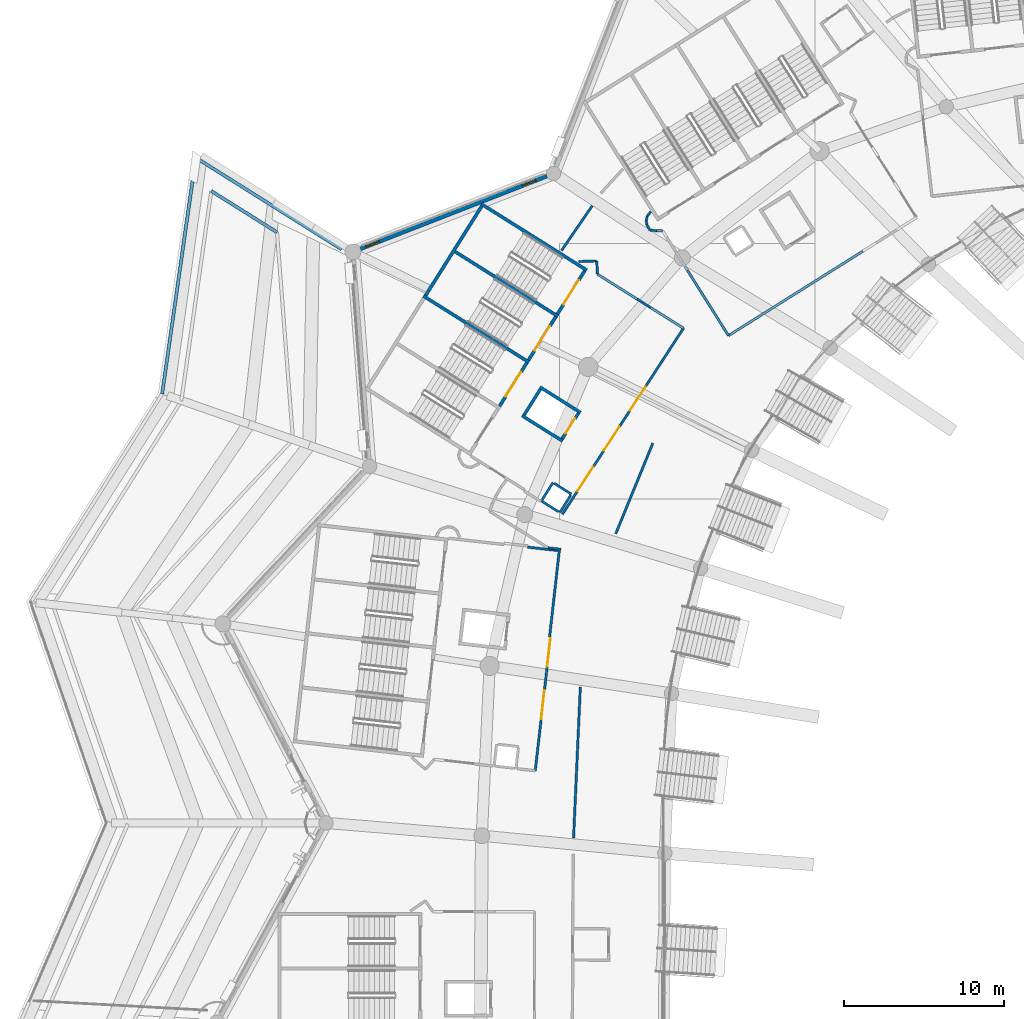
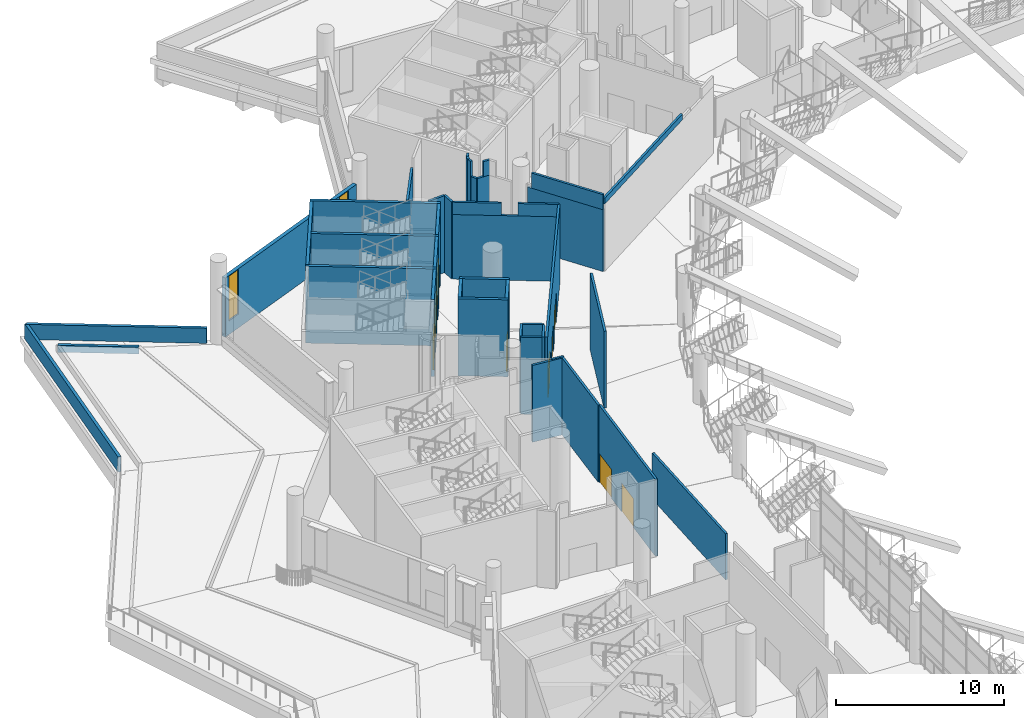
# One storey, part 64 of 173: 41 walls, 9 doors, 2 windows, 11 openings.
"""IFC4 building model written with IfcOpenShell, lengths in metres."""

from ifc_helpers import new_model, si_unit, direction, frame, frame_2d, origin, place, context, subcontext, project, spatial, rectangle, extrude, material, layer, layer_set, type_object, element, fill, save


model = new_model("IFC4")

# Units and contexts
model_context = context("Model", 3, precision=1e-05, world=origin(), true_north=direction((0.0, 1.0)))
body_context = subcontext(model_context, "Body", "Model", "MODEL_VIEW")
ifc_project = project(units=[si_unit("LENGTHUNIT", "METRE"), si_unit("AREAUNIT", "SQUARE_METRE"), si_unit("VOLUMEUNIT", "CUBIC_METRE"), si_unit("PLANEANGLEUNIT", "RADIAN"), si_unit("MASSUNIT", "GRAM", prefix="KILO")], contexts=[model_context])

# Site, building, storey
site_placement = place(None, origin())
site = spatial("IfcSite", under=ifc_project, at=site_placement, CompositionType="ELEMENT")
building_placement = place(site_placement, origin())
building = spatial("IfcBuilding", under=site, at=building_placement, Name="Meseta Stadium", CompositionType="ELEMENT")
storey_placement = place(building_placement, frame((0.0, 0.0, 18.0)))
storey = spatial("IfcBuildingStorey", under=building, at=storey_placement, Name="L03", CompositionType="ELEMENT", Elevation=18.0)

# Walls
ifc_material_1 = material(Name="Concrete C40/50", Category="concrete")
ifc_layer_1 = layer(ifc_material_1, 0.199951171875)
ifc_layer_set_1 = layer_set([ifc_layer_1], Name="Core divider wall 200")
wall_type_1 = type_object("IfcWallType", Name="Core divider wall 200", PredefinedType="SHEAR", material=ifc_layer_set_1)
wall_1_placement = place(storey_placement, frame((-86.696533203125, 79.5869140625, 0.0), z_axis=(0.0, 0.0, 1.0), x_axis=(0.846713903605, -0.532048461553, 0.0)))
element("IfcWall", 1, at=wall_1_placement, inside=storey, type_object=wall_type_1, Name="Core 14 L03 stair A divider wall", PredefinedType="SHEAR", context=body_context, shape_type="SweptSolid", body=[
    extrude(rectangle(XDim=7.7998046875, YDim=0.199951171875, at=frame_2d((3.89990234375, 0.0))), origin(), (0.0, 0.0, 1.0), 5.60009765625),
])
ifc_material_2 = material(Name="Concrete C40/50", Category="concrete")
ifc_layer_2 = layer(ifc_material_2, 0.199951171875)
ifc_layer_set_2 = layer_set([ifc_layer_2], Name="Core shaft wall 200")
wall_type_2 = type_object("IfcWallType", Name="Core shaft wall 200", PredefinedType="SHEAR", material=ifc_layer_set_2)
for number, where, z_axis, x_axis, name in (
    (2, (-84.8876953125, 82.4658203125, 0.0), (0.0, 0.0, 1.0), (0.846722763703, -0.532034361135, 0.0), "Core 14 L03 stair wall A-side"),
    (3, (-88.505615234375, 76.7080078125, 0.0), (0.0, 0.0, 1.0), (0.846722763703, -0.532034361135, 0.0), "Core 14 L03 stair wall shared"),
):
    element("IfcWall", number, at=place(storey_placement, frame(where, z_axis=z_axis, x_axis=x_axis)), inside=storey, type_object=wall_type_2, Name=name, PredefinedType="SHEAR", context=body_context, shape_type="SweptSolid", body=[
        extrude(rectangle(XDim=7.800048828125, YDim=0.199951171875, at=frame_2d((3.89990234375, 0.0))), origin(), (0.0, 0.0, 1.0), 5.60009765625),
    ])
wall_2_placement = place(storey_placement, frame((-84.856201171875, 82.327880859375, 0.0), z_axis=(0.0, 0.0, 1.0), x_axis=(-0.532038964807, -0.846719870989, 0.0)))
element("IfcWall", 4, at=wall_2_placement, inside=storey, type_object=wall_type_2, Name="Core 14 L03 stair A outer end wall", PredefinedType="SHEAR", context=body_context, shape_type="SweptSolid", body=[
    extrude(rectangle(XDim=6.60009765625, YDim=0.199951171875, at=frame_2d((3.300048828125, 0.0))), origin(), (0.0, 0.0, 1.0), 5.60009765625),
])

# Wall, opening, door
wall_3_placement = place(storey_placement, frame((-78.421142578125, 78.284423828125, 0.0), z_axis=(0.0, 0.0, 1.0), x_axis=(-0.53206841829, -0.84670136309, 0.0)))
wall_3 = element("IfcWall", 5, at=wall_3_placement, inside=storey, type_object=wall_type_2, Name="Core 14 L03 stair A1 inner end wall", PredefinedType="SHEAR", context=body_context, shape_type="SweptSolid", body=[
    extrude(rectangle(XDim=3.199951171875, YDim=0.199951171875, at=frame_2d((1.60009765625, 0.0))), origin(), (0.0, 0.0, 1.0), 5.60009765625),
])
opening_1_placement = place(wall_3_placement, frame((0.699951171875, 0.0, 0.0)))
opening_1 = element("IfcOpeningElement", 6, at=opening_1_placement, cuts=wall_3, Name="Opening D1325", PredefinedType="OPENING", context=body_context, shape_type="SweptSolid", body=[
    extrude(rectangle(XDim=1.800048828125, YDim=2.10009765625, at=frame_2d((0.89990234375, 1.050048828125))), frame((0.0, 0.10986328125, 0.0), z_axis=(0.0, -1.0, 0.0), x_axis=(1.0, 0.0, 0.0)), (0.0, 0.0, 1.0), 0.219970703125),
])
ifc_material_3 = material(Name="Steel", Category="steel")
door_type_1 = type_object("IfcDoorType", Name="Stair door 1800x2100", OperationType="DOUBLE_DOOR_SINGLE_SWING", PredefinedType="DOOR", material=ifc_material_3)
door_1_placement = place(opening_1_placement, origin())
door_1 = element("IfcDoor", 7, at=door_1_placement, inside=storey, type_object=door_type_1, Name="Stair A1 door 14 L03", OperationType="DOUBLE_DOOR_SINGLE_SWING", OverallHeight=2.10009765625, OverallWidth=1.800048828125, PredefinedType="DOOR", context=body_context, shape_type="SweptSolid", body=[
    extrude(rectangle(XDim=1.800048828125, YDim=2.10009765625, at=frame_2d((0.89990234375, 1.050048828125))), frame((0.0, 0.02490234375, 0.0), z_axis=(0.0, -1.0, 0.0), x_axis=(1.0, 0.0, 0.0)), (0.0, 0.0, 1.0), 0.050048828125),
])
fill(opening_1, door_1)

wall_4_placement = place(storey_placement, frame((-80.22998046875, 75.405517578125, 0.0), z_axis=(0.0, 0.0, 1.0), x_axis=(-0.53206841829, -0.84670136309, 0.0)))
wall_4 = element("IfcWall", 8, at=wall_4_placement, inside=storey, type_object=wall_type_2, Name="Core 14 L03 stair A2 inner end wall", PredefinedType="SHEAR", context=body_context, shape_type="SweptSolid", body=[
    extrude(rectangle(XDim=3.199951171875, YDim=0.199951171875, at=frame_2d((1.60009765625, 0.0))), origin(), (0.0, 0.0, 1.0), 5.60009765625),
])
opening_2_placement = place(wall_4_placement, frame((0.699951171875, 0.0, 0.0)))
opening_2 = element("IfcOpeningElement", 9, at=opening_2_placement, cuts=wall_4, Name="Opening D1321", PredefinedType="OPENING", context=body_context, shape_type="SweptSolid", body=[
    extrude(rectangle(XDim=1.800048828125, YDim=2.10009765625, at=frame_2d((0.89990234375, 1.050048828125))), frame((0.0, 0.10986328125, 0.0), z_axis=(0.0, -1.0, 0.0), x_axis=(1.0, 0.0, 0.0)), (0.0, 0.0, 1.0), 0.219970703125),
])
door_2_placement = place(opening_2_placement, origin())
door_2 = element("IfcDoor", 10, at=door_2_placement, inside=storey, type_object=door_type_1, Name="Stair A2 door 14 L03", OperationType="DOUBLE_DOOR_SINGLE_SWING", OverallHeight=2.10009765625, OverallWidth=1.800048828125, PredefinedType="DOOR", context=body_context, shape_type="SweptSolid", body=[
    extrude(rectangle(XDim=1.800048828125, YDim=2.10009765625, at=frame_2d((0.89990234375, 1.050048828125))), frame((0.0, 0.02490234375, 0.0), z_axis=(0.0, -1.0, 0.0), x_axis=(1.0, 0.0, 0.0)), (0.0, 0.0, 1.0), 0.050048828125),
])
fill(opening_2, door_2)

wall_5_placement = place(storey_placement, frame((-82.0390625, 72.526611328125, 0.0), z_axis=(0.0, 0.0, 1.0), x_axis=(-0.532013720158, -0.846735733015, 0.0)))
wall_5 = element("IfcWall", 11, at=wall_5_placement, inside=storey, type_object=wall_type_2, Name="Core 14 L03 stair B1 inner end wall", PredefinedType="SHEAR", context=body_context, shape_type="SweptSolid", body=[
    extrude(rectangle(XDim=3.199951171875, YDim=0.199951171875, at=frame_2d((1.60009765625, 0.0))), origin(), (0.0, 0.0, 1.0), 5.60009765625),
])
opening_3_placement = place(wall_5_placement, frame((0.673095703125, 0.0, 0.0)))
opening_3 = element("IfcOpeningElement", 12, at=opening_3_placement, cuts=wall_5, Name="Opening D1315", PredefinedType="OPENING", context=body_context, shape_type="SweptSolid", body=[
    extrude(rectangle(XDim=1.800048828125, YDim=2.10009765625, at=frame_2d((0.89990234375, 1.050048828125))), frame((0.0, 0.10986328125, 0.0), z_axis=(0.0, -1.0, 0.0), x_axis=(1.0, 0.0, 0.0)), (0.0, 0.0, 1.0), 0.219970703125),
])
door_3_placement = place(opening_3_placement, origin())
door_3 = element("IfcDoor", 13, at=door_3_placement, inside=storey, type_object=door_type_1, Name="Stair B1 door 14 L03", OperationType="DOUBLE_DOOR_SINGLE_SWING", OverallHeight=2.10009765625, OverallWidth=1.800048828125, PredefinedType="DOOR", context=body_context, shape_type="SweptSolid", body=[
    extrude(rectangle(XDim=1.800048828125, YDim=2.10009765625, at=frame_2d((0.89990234375, 1.050048828125))), frame((0.0, 0.02490234375, 0.0), z_axis=(0.0, -1.0, 0.0), x_axis=(1.0, 0.0, 0.0)), (0.0, 0.0, 1.0), 0.050048828125),
])
fill(opening_3, door_3)

# Walls
for number, where, z_axis, x_axis, name in (
    (14, (-81.22119140625, 71.0087890625, 0.0), (0.0, 0.0, 1.0), (0.846757002027, -0.531979867588, 0.0), "Core 14 L03 lift shaft wall left"),
    (15, (-82.33837890625, 69.230712890625, 0.0), (0.0, 0.0, 1.0), (0.846757002027, -0.531979867588, 0.0), "Core 14 L03 lift shaft wall right"),
):
    element("IfcWall", number, at=place(storey_placement, frame(where, z_axis=z_axis, x_axis=x_axis)), inside=storey, type_object=wall_type_2, Name=name, PredefinedType="SHEAR", context=body_context, shape_type="SweptSolid", body=[
        extrude(rectangle(XDim=3.0, YDim=0.199951171875, at=frame_2d((1.5, 0.0))), origin(), (0.0, 0.0, 1.0), 5.60009765625),
    ])
wall_6_placement = place(storey_placement, frame((-81.189697265625, 70.87109375, 0.0), z_axis=(0.0, 0.0, 1.0), x_axis=(-0.531961007765, -0.846768850524, 0.0)))
element("IfcWall", 16, at=wall_6_placement, inside=storey, type_object=wall_type_2, Name="Core 14 L03 lift shaft back wall", PredefinedType="SHEAR", context=body_context, shape_type="SweptSolid", body=[
    extrude(rectangle(XDim=1.900146484375, YDim=0.199951171875, at=frame_2d((0.9501953125, 0.0))), origin(), (0.0, 0.0, 1.0), 5.60009765625),
])

# Wall, opening, door
wall_7_placement = place(storey_placement, frame((-78.81884765625, 69.38134765625, 0.0), z_axis=(0.0, 0.0, 1.0), x_axis=(-0.532018892235, -0.846732483318, 0.0)))
wall_7 = element("IfcWall", 17, at=wall_7_placement, inside=storey, type_object=wall_type_2, Name="Core 14 L03 lift shaft front wall", PredefinedType="SHEAR", context=body_context, shape_type="SweptSolid", body=[
    extrude(rectangle(XDim=1.89990234375, YDim=0.199951171875, at=frame_2d((0.949951171875, 0.0))), origin(), (0.0, 0.0, 1.0), 5.60009765625),
])
opening_4_placement = place(wall_7_placement, frame((0.39990234375, 0.0, 0.0)))
opening_4 = element("IfcOpeningElement", 18, at=opening_4_placement, cuts=wall_7, Name="Opening LD77", PredefinedType="OPENING", context=body_context, shape_type="SweptSolid", body=[
    extrude(rectangle(XDim=1.10009765625, YDim=2.10009765625, at=frame_2d((0.550048828125, 1.050048828125))), frame((0.0, 0.10986328125, 0.0), z_axis=(0.0, -1.0, 0.0), x_axis=(1.0, 0.0, 0.0)), (0.0, 0.0, 1.0), 0.219970703125),
])
ifc_material_4 = material(Name="Steel", Category="steel")
door_type_2 = type_object("IfcDoorType", Name="Lift landing door 1100x2100", OperationType="SLIDING_TO_LEFT", PredefinedType="DOOR", material=ifc_material_4)
door_4_placement = place(opening_4_placement, origin())
door_4 = element("IfcDoor", 19, at=door_4_placement, inside=storey, type_object=door_type_2, Name="Lift landing door LD77", OperationType="SLIDING_TO_LEFT", OverallHeight=2.10009765625, OverallWidth=1.10009765625, PredefinedType="DOOR", context=body_context, shape_type="SweptSolid", body=[
    extrude(rectangle(XDim=1.10009765625, YDim=2.10009765625, at=frame_2d((0.550048828125, 1.050048828125))), frame((0.0, 0.02490234375, 0.0), z_axis=(0.0, -1.0, 0.0), x_axis=(1.0, 0.0, 0.0)), (0.0, 0.0, 1.0), 0.050048828125),
])
fill(opening_4, door_4)

# Walls
ifc_material_5 = material(Name="Masonry blockwork", Category="masonry")
ifc_layer_3 = layer(ifc_material_5, 0.14990234375)
ifc_layer_set_3 = layer_set([ifc_layer_3], Name="Partition 150")
wall_type_3 = type_object("IfcWallType", Name="Partition 150", PredefinedType="PARTITIONING", material=ifc_layer_set_3)
wall_8_placement = place(storey_placement, frame((-77.948974609375, 82.345703125, 0.0), z_axis=(0.0, 0.0, 1.0), x_axis=(-0.565957595718, -0.824434351449, 0.0)))
element("IfcWall", 20, at=wall_8_placement, inside=storey, type_object=wall_type_3, Name="Partition L03 L03-cell12-1-0", PredefinedType="PARTITIONING", context=body_context, shape_type="SweptSolid", body=[
    extrude(rectangle(XDim=3.392822265625, YDim=0.14990234375, at=frame_2d((1.6962890625, 0.0))), origin(), (0.0, 0.0, 1.0), 5.60009765625),
])
wall_9_placement = place(storey_placement, frame((-74.15380859375, 67.506103515625, 0.0), z_axis=(0.0, 0.0, 1.0), x_axis=(-0.379103117109, -0.92535443296, 0.0)))
element("IfcWall", 21, at=wall_9_placement, inside=storey, type_object=wall_type_3, Name="Partition L03 L03-cell13-1-0", PredefinedType="PARTITIONING", context=body_context, shape_type="SweptSolid", body=[
    extrude(rectangle(XDim=6.12451171875, YDim=0.14990234375, at=frame_2d((3.062255859375, 0.0))), origin(), (0.0, 0.0, 1.0), 5.60009765625),
])
wall_10_placement = place(storey_placement, frame((-80.615478515625, 55.379150390625, 0.0), z_axis=(0.0, 0.0, 1.0), x_axis=(0.111990669248, 0.993709258285, 0.0)))
element("IfcWall", 22, at=wall_10_placement, inside=storey, type_object=wall_type_3, Name="Partition L03 L03-cell13-1-0", PredefinedType="PARTITIONING", context=body_context, shape_type="SweptSolid", body=[
    extrude(rectangle(XDim=5.430419921875, YDim=0.14990234375, at=frame_2d((2.71533203125, 0.0))), origin(), (0.0, 0.0, 1.0), 5.60009765625),
])
wall_11_placement = place(storey_placement, frame((-80.081787109375, 60.78369140625, 0.0), z_axis=(0.0, 0.0, 1.0), x_axis=(-0.993706666168, 0.112013667081, 0.0)))
element("IfcWall", 23, at=wall_11_placement, inside=storey, type_object=wall_type_3, Name="Partition L03 L03-cell13-1-0", PredefinedType="PARTITIONING", context=body_context, shape_type="SweptSolid", body=[
    extrude(rectangle(XDim=1.91357421875, YDim=0.14990234375, at=frame_2d((0.956787109375, 0.0))), origin(), (0.0, 0.0, 1.0), 5.60009765625),
])
wall_12_placement = place(storey_placement, frame((-79.115478515625, 42.80029296875, 0.0), z_axis=(0.0, 0.0, 1.0), x_axis=(0.044768155876, 0.99899740351, 0.0)))
element("IfcWall", 24, at=wall_12_placement, inside=storey, type_object=wall_type_3, Name="Partition L03 L03-cell14-0-0", PredefinedType="PARTITIONING", context=body_context, shape_type="SweptSolid", body=[
    extrude(rectangle(XDim=9.47265625, YDim=0.14990234375, at=frame_2d((4.736328125, 0.0))), origin(), (0.0, 0.0, 1.0), 3.347412109375),
])
wall_13_placement = place(storey_placement, frame((-79.896728515625, 60.863525390625, 0.0), z_axis=(0.0, 0.0, 1.0), x_axis=(-0.993733799368, 0.111772697889, 0.0)))
element("IfcWall", 25, at=wall_13_placement, inside=storey, type_object=wall_type_3, Name="Partition L03 lobby26-0 link", PredefinedType="PARTITIONING", context=body_context, shape_type="SweptSolid", body=[
    extrude(rectangle(XDim=0.819091796875, YDim=0.14990234375, at=frame_2d((0.40966796875, 0.0))), origin(), (0.0, 0.0, 1.0), 5.60009765625),
])
wall_14_placement = place(storey_placement, frame((-74.288818359375, 81.979736328125, 0.0), z_axis=(0.0, 0.0, 1.0), x_axis=(-0.609611338379, -0.792700458004, 0.0)))
element("IfcWall", 26, at=wall_14_placement, inside=storey, type_object=wall_type_3, Name="Stair vestibule wall L03 core 13", PredefinedType="PARTITIONING", context=body_context, shape_type="SweptSolid", body=[
    extrude(rectangle(XDim=0.35595703125, YDim=0.14990234375, at=frame_2d((0.177978515625, 0.0))), origin(), (0.0, 0.0, 1.0), 5.60009765625),
])
wall_15_placement = place(storey_placement, frame((-74.505859375, 81.697509765625, 0.0), z_axis=(0.0, 0.0, 1.0), x_axis=(-0.22210291642, -0.975023227681, 0.0)))
element("IfcWall", 27, at=wall_15_placement, inside=storey, type_object=wall_type_3, Name="Stair vestibule wall L03 core 13", PredefinedType="PARTITIONING", context=body_context, shape_type="SweptSolid", body=[
    extrude(rectangle(XDim=0.28466796875, YDim=0.14990234375, at=frame_2d((0.142333984375, 0.0))), origin(), (0.0, 0.0, 1.0), 5.60009765625),
])
wall_16_placement = place(storey_placement, frame((-74.569091796875, 81.419921875, 0.0), z_axis=(0.0, 0.0, 1.0), x_axis=(0.166082011564, -0.986111943663, 0.0)))
element("IfcWall", 28, at=wall_16_placement, inside=storey, type_object=wall_type_3, Name="Stair vestibule wall L03 core 13", PredefinedType="PARTITIONING", context=body_context, shape_type="SweptSolid", body=[
    extrude(rectangle(XDim=0.2822265625, YDim=0.14990234375, at=frame_2d((0.14111328125, 0.0))), origin(), (0.0, 0.0, 1.0), 5.60009765625),
])
wall_17_placement = place(storey_placement, frame((-74.522216796875, 81.1416015625, 0.0), z_axis=(0.0, 0.0, 1.0), x_axis=(0.499215914633, -0.866477622664, 0.0)))
element("IfcWall", 29, at=wall_17_placement, inside=storey, type_object=wall_type_3, Name="Stair vestibule wall L03 core 13", PredefinedType="PARTITIONING", context=body_context, shape_type="SweptSolid", body=[
    extrude(rectangle(XDim=0.37548828125, YDim=0.14990234375, at=frame_2d((0.187744140625, 0.0))), origin(), (0.0, 0.0, 1.0), 4.5),
])
wall_18_placement = place(storey_placement, frame((-74.334716796875, 80.816162109375, 0.0), z_axis=(0.0, 0.0, 1.0), x_axis=(0.998641436445, -0.052108362245, 0.0)))
element("IfcWall", 30, at=wall_18_placement, inside=storey, type_object=wall_type_3, Name="Stair vestibule wall L03 core 13", PredefinedType="PARTITIONING", context=body_context, shape_type="SweptSolid", body=[
    extrude(rectangle(XDim=0.79638671875, YDim=0.14990234375, at=frame_2d((0.398193359375, 0.0))), origin(), (0.0, 0.0, 1.0), 4.5),
])
wall_19_placement = place(storey_placement, frame((-73.93701171875, 80.79541015625, 4.5), z_axis=(0.0, 0.0, 1.0), x_axis=(0.998641436445, -0.052108362245, 0.0)))
element("IfcWall", 31, at=wall_19_placement, inside=storey, type_object=wall_type_3, Name="Stair vestibule wall L03 core 13", PredefinedType="PARTITIONING", context=body_context, shape_type="SweptSolid", body=[
    extrude(rectangle(XDim=0.398193359375, YDim=0.14990234375, at=frame_2d((0.19921875, 0.0))), origin(), (0.0, 0.0, 1.0), 1.10009765625),
])
wall_20_placement = place(storey_placement, frame((-72.142822265625, 78.552490234375, 0.0), z_axis=(0.0, 0.0, 1.0), x_axis=(0.53204233593, -0.846717752724, 0.0)))
element("IfcWall", 32, at=wall_20_placement, inside=storey, type_object=wall_type_3, Name="Stair vestibule wall L03 core 13", PredefinedType="PARTITIONING", context=body_context, shape_type="SweptSolid", body=[
    extrude(rectangle(XDim=5.108154296875, YDim=0.14990234375, at=frame_2d((2.55419921875, 0.0))), origin(), (0.0, 0.0, 1.0), 4.5),
])
wall_21_placement = place(storey_placement, frame((-71.996337890625, 78.3193359375, 4.5), z_axis=(0.0, 0.0, 1.0), x_axis=(0.532045320637, -0.84671587725, 0.0)))
element("IfcWall", 33, at=wall_21_placement, inside=storey, type_object=wall_type_3, Name="Stair vestibule wall L03 core 13", PredefinedType="PARTITIONING", context=body_context, shape_type="SweptSolid", body=[
    extrude(rectangle(XDim=4.832763671875, YDim=0.14990234375, at=frame_2d((2.41650390625, 0.0))), origin(), (0.0, 0.0, 1.0), 1.10009765625),
])
wall_22_placement = place(storey_placement, frame((-69.425048828125, 74.227294921875, 4.893798828125), z_axis=(0.0, 0.0, 1.0), x_axis=(0.846730935514, 0.532021355628, 0.0)))
element("IfcWall", 34, at=wall_22_placement, inside=storey, type_object=wall_type_3, Name="Stair vestibule wall L03 core 13", PredefinedType="PARTITIONING", context=body_context, shape_type="SweptSolid", body=[
    extrude(rectangle(XDim=9.921142578125, YDim=0.14990234375, at=frame_2d((4.96044921875, 0.0))), origin(), (0.0, 0.0, 1.0), 0.41748046875),
])
for number, where, z_axis, x_axis, name in (
    (35, (-80.400634765625, 65.03125, 0.0), (0.0, 0.0, 1.0), (-0.532097038765, -0.846683377265, 0.0), "Pressurisation shaft wall L03 core 14"),
    (36, (-81.118896484375, 63.88818359375, 0.0), (0.0, 0.0, 1.0), (0.846683377265, -0.532097038765, 0.0), "Pressurisation shaft wall L03 core 14"),
):
    element("IfcWall", number, at=place(storey_placement, frame(where, z_axis=z_axis, x_axis=x_axis)), inside=storey, type_object=wall_type_3, Name=name, PredefinedType="PARTITIONING", context=body_context, shape_type="SweptSolid", body=[
        extrude(rectangle(XDim=1.275146484375, YDim=0.14990234375, at=frame_2d((0.6376953125, 0.0))), origin(), (0.0, 0.0, 1.0), 5.60009765625),
    ])
for number, where, z_axis, x_axis, name in (
    (37, (-79.975830078125, 63.169921875, 0.0), (0.0, 0.0, 1.0), (0.531959757672, 0.846769635862, 0.0), "Pressurisation shaft wall L03 core 14"),
    (38, (-79.257568359375, 64.31298828125, 0.0), (0.0, 0.0, 1.0), (-0.846769635862, 0.531959757672, 0.0), "Pressurisation shaft wall L03 core 14"),
):
    element("IfcWall", number, at=place(storey_placement, frame(where, z_axis=z_axis, x_axis=x_axis)), inside=storey, type_object=wall_type_3, Name=name, PredefinedType="PARTITIONING", context=body_context, shape_type="SweptSolid", body=[
        extrude(rectangle(XDim=1.27490234375, YDim=0.14990234375, at=frame_2d((0.637451171875, 0.0))), origin(), (0.0, 0.0, 1.0), 5.60009765625),
    ])

# Wall, openings, doors
wall_23_placement = place(storey_placement, frame((-79.81494140625, 63.051513671875, 0.0), z_axis=(0.0, 0.0, 1.0), x_axis=(0.545493133091, 0.838115291443, 0.0)))
wall_23 = element("IfcWall", 39, at=wall_23_placement, inside=storey, type_object=wall_type_3, Name="Stair vestibule wall L03 core 14", PredefinedType="PARTITIONING", context=body_context, shape_type="SweptSolid", body=[
    extrude(rectangle(XDim=13.886474609375, YDim=0.14990234375, at=frame_2d((6.943359375, 0.0))), origin(), (0.0, 0.0, 1.0), 5.60009765625),
])
opening_5_placement = place(wall_23_placement, frame((4.75, 0.0, 0.0)))
opening_5 = element("IfcOpeningElement", 40, at=opening_5_placement, cuts=wall_23, Name="Opening D1338", PredefinedType="OPENING", context=body_context, shape_type="SweptSolid", body=[
    extrude(rectangle(XDim=1.800048828125, YDim=2.10009765625, at=frame_2d((0.89990234375, 1.050048828125))), frame((0.0, 0.0849609375, 0.0), z_axis=(0.0, -1.0, 0.0), x_axis=(1.0, 0.0, 0.0)), (0.0, 0.0, 1.0), 0.169921875),
])
opening_6_placement = place(wall_23_placement, frame((1.75, 0.0, 0.0)))
opening_6 = element("IfcOpeningElement", 41, at=opening_6_placement, cuts=wall_23, Name="Opening D1332", PredefinedType="OPENING", context=body_context, shape_type="SweptSolid", body=[
    extrude(rectangle(XDim=1.800048828125, YDim=2.10009765625, at=frame_2d((0.89990234375, 1.050048828125))), frame((0.0, 0.0849609375, 0.0), z_axis=(0.0, -1.0, 0.0), x_axis=(1.0, 0.0, 0.0)), (0.0, 0.0, 1.0), 0.169921875),
])
opening_7_placement = place(wall_23_placement, frame((7.75, 0.0, 0.0)))
opening_7 = element("IfcOpeningElement", 42, at=opening_7_placement, cuts=wall_23, Name="Opening D1341", PredefinedType="OPENING", context=body_context, shape_type="SweptSolid", body=[
    extrude(rectangle(XDim=1.800048828125, YDim=2.10009765625, at=frame_2d((0.89990234375, 1.050048828125))), frame((0.0, 0.0849609375, 0.0), z_axis=(0.0, -1.0, 0.0), x_axis=(1.0, 0.0, 0.0)), (0.0, 0.0, 1.0), 0.169921875),
])
ifc_material_6 = material(Name="Steel", Category="steel")
door_type_3 = type_object("IfcDoorType", Name="Fire double door 1800x2100 EI2 60", OperationType="DOUBLE_DOOR_SINGLE_SWING", PredefinedType="DOOR", material=ifc_material_6)
door_5_placement = place(opening_5_placement, origin())
door_5 = element("IfcDoor", 43, at=door_5_placement, inside=storey, type_object=door_type_3, Name="Stair vestibule door L03 core 14", OperationType="DOUBLE_DOOR_SINGLE_SWING", OverallHeight=2.10009765625, OverallWidth=1.800048828125, PredefinedType="DOOR", context=body_context, shape_type="SweptSolid", body=[
    extrude(rectangle(XDim=1.800048828125, YDim=2.10009765625, at=frame_2d((0.89990234375, 1.050048828125))), frame((0.0, 0.02490234375, 0.0), z_axis=(0.0, -1.0, 0.0), x_axis=(1.0, 0.0, 0.0)), (0.0, 0.0, 1.0), 0.050048828125),
])
fill(opening_5, door_5)
door_6_placement = place(opening_6_placement, origin())
door_6 = element("IfcDoor", 44, at=door_6_placement, inside=storey, type_object=door_type_3, Name="Stair vestibule door L03 core 14", OperationType="DOUBLE_DOOR_SINGLE_SWING", OverallHeight=2.10009765625, OverallWidth=1.800048828125, PredefinedType="DOOR", context=body_context, shape_type="SweptSolid", body=[
    extrude(rectangle(XDim=1.800048828125, YDim=2.10009765625, at=frame_2d((0.89990234375, 1.050048828125))), frame((0.0, 0.02490234375, 0.0), z_axis=(0.0, -1.0, 0.0), x_axis=(1.0, 0.0, 0.0)), (0.0, 0.0, 1.0), 0.050048828125),
])
fill(opening_6, door_6)
door_7_placement = place(opening_7_placement, origin())
door_7 = element("IfcDoor", 45, at=door_7_placement, inside=storey, type_object=door_type_3, Name="Stair vestibule door L03 core 14", OperationType="DOUBLE_DOOR_SINGLE_SWING", OverallHeight=2.10009765625, OverallWidth=1.800048828125, PredefinedType="DOOR", context=body_context, shape_type="SweptSolid", body=[
    extrude(rectangle(XDim=1.800048828125, YDim=2.10009765625, at=frame_2d((0.89990234375, 1.050048828125))), frame((0.0, 0.02490234375, 0.0), z_axis=(0.0, -1.0, 0.0), x_axis=(1.0, 0.0, 0.0)), (0.0, 0.0, 1.0), 0.050048828125),
])
fill(opening_7, door_7)

# Walls
wall_24_placement = place(storey_placement, frame((-72.239990234375, 74.68994140625, 0.0), z_axis=(0.0, 0.0, 1.0), x_axis=(-0.846711707984, 0.532051955699, 0.0)))
element("IfcWall", 46, at=wall_24_placement, inside=storey, type_object=wall_type_3, Name="Stair vestibule wall L03 core 14", PredefinedType="PARTITIONING", context=body_context, shape_type="SweptSolid", body=[
    extrude(rectangle(XDim=6.355224609375, YDim=0.14990234375, at=frame_2d((3.177734375, 0.0))), origin(), (0.0, 0.0, 1.0), 4.699951171875),
])
wall_25_placement = place(storey_placement, frame((-72.239990234375, 74.68994140625, 4.699951171875), z_axis=(0.0, 0.0, 1.0), x_axis=(-0.846727819647, 0.532026314609, 0.0)))
element("IfcWall", 47, at=wall_25_placement, inside=storey, type_object=wall_type_3, Name="Stair vestibule wall L03 core 14", PredefinedType="PARTITIONING", context=body_context, shape_type="SweptSolid", body=[
    extrude(rectangle(XDim=2.444580078125, YDim=0.14990234375, at=frame_2d((1.22216796875, 0.0))), origin(), (0.0, 0.0, 1.0), 0.900146484375),
])
wall_26_placement = place(storey_placement, frame((-75.1376953125, 76.510498046875, 4.699951171875), z_axis=(0.0, 0.0, 1.0), x_axis=(-0.846667620913, 0.532122109762, 0.0)))
element("IfcWall", 48, at=wall_26_placement, inside=storey, type_object=wall_type_3, Name="Stair vestibule wall L03 core 14", PredefinedType="PARTITIONING", context=body_context, shape_type="SweptSolid", body=[
    extrude(rectangle(XDim=2.93310546875, YDim=0.14990234375, at=frame_2d((1.466552734375, 0.0))), origin(), (0.0, 0.0, 1.0), 0.900146484375),
])
wall_27_placement = place(storey_placement, frame((-77.62109375, 78.0712890625, 0.0), z_axis=(0.0, 0.0, 1.0), x_axis=(-0.052666933407, 0.998612133977, 0.0)))
element("IfcWall", 49, at=wall_27_placement, inside=storey, type_object=wall_type_3, Name="Stair vestibule wall L03 core 14", PredefinedType="PARTITIONING", context=body_context, shape_type="SweptSolid", body=[
    extrude(rectangle(XDim=0.829833984375, YDim=0.14990234375, at=frame_2d((0.4150390625, 0.0))), origin(), (0.0, 0.0, 1.0), 5.60009765625),
])
wall_28_placement = place(storey_placement, frame((-77.664794921875, 78.89990234375, 0.0), z_axis=(0.0, 0.0, 1.0), x_axis=(-0.999353998407, -0.035938640324, 0.0)))
element("IfcWall", 50, at=wall_28_placement, inside=storey, type_object=wall_type_3, Name="Stair vestibule wall L03 core 14", PredefinedType="PARTITIONING", context=body_context, shape_type="SweptSolid", body=[
    extrude(rectangle(XDim=1.127685546875, YDim=0.14990234375, at=frame_2d((0.56396484375, 0.0))), origin(), (0.0, 0.0, 1.0), 5.60009765625),
])

# Wall, openings, doors
wall_29_placement = place(storey_placement, frame((-81.512939453125, 47.012451171875, 0.0), z_axis=(0.0, 0.0, 1.0), x_axis=(0.114132343971, 0.993465554541, 0.0)))
wall_29 = element("IfcWall", 51, at=wall_29_placement, inside=storey, type_object=wall_type_3, Name="Stair vestibule wall L03 core 15", PredefinedType="PARTITIONING", context=body_context, shape_type="SweptSolid", body=[
    extrude(rectangle(XDim=8.404541015625, YDim=0.14990234375, at=frame_2d((4.2021484375, 0.0))), origin(), (0.0, 0.0, 1.0), 5.60009765625),
])
opening_8_placement = place(wall_29_placement, frame((3.25, 0.0, 0.0)))
opening_8 = element("IfcOpeningElement", 52, at=opening_8_placement, cuts=wall_29, Name="Opening D1322", PredefinedType="OPENING", context=body_context, shape_type="SweptSolid", body=[
    extrude(rectangle(XDim=1.800048828125, YDim=2.10009765625, at=frame_2d((0.89990234375, 1.050048828125))), frame((0.0, 0.0849609375, 0.0), z_axis=(0.0, -1.0, 0.0), x_axis=(1.0, 0.0, 0.0)), (0.0, 0.0, 1.0), 0.169921875),
])
opening_9_placement = place(wall_29_placement, frame((6.550048828125, 0.0, 0.0)))
opening_9 = element("IfcOpeningElement", 53, at=opening_9_placement, cuts=wall_29, Name="Opening D1323", PredefinedType="OPENING", context=body_context, shape_type="SweptSolid", body=[
    extrude(rectangle(XDim=1.800048828125, YDim=2.10009765625, at=frame_2d((0.89990234375, 1.050048828125))), frame((0.0, 0.0849609375, 0.0), z_axis=(0.0, -1.0, 0.0), x_axis=(1.0, 0.0, 0.0)), (0.0, 0.0, 1.0), 0.169921875),
])
door_8_placement = place(opening_8_placement, origin())
door_8 = element("IfcDoor", 54, at=door_8_placement, inside=storey, type_object=door_type_3, Name="Stair vestibule door L03 core 15", OperationType="DOUBLE_DOOR_SINGLE_SWING", OverallHeight=2.10009765625, OverallWidth=1.800048828125, PredefinedType="DOOR", context=body_context, shape_type="SweptSolid", body=[
    extrude(rectangle(XDim=1.800048828125, YDim=2.10009765625, at=frame_2d((0.89990234375, 1.050048828125))), frame((0.0, 0.02490234375, 0.0), z_axis=(0.0, -1.0, 0.0), x_axis=(1.0, 0.0, 0.0)), (0.0, 0.0, 1.0), 0.050048828125),
])
fill(opening_8, door_8)
door_9_placement = place(opening_9_placement, origin())
door_9 = element("IfcDoor", 55, at=door_9_placement, inside=storey, type_object=door_type_3, Name="Stair vestibule door L03 core 15", OperationType="DOUBLE_DOOR_SINGLE_SWING", OverallHeight=2.10009765625, OverallWidth=1.800048828125, PredefinedType="DOOR", context=body_context, shape_type="SweptSolid", body=[
    extrude(rectangle(XDim=1.800048828125, YDim=2.10009765625, at=frame_2d((0.89990234375, 1.050048828125))), frame((0.0, 0.02490234375, 0.0), z_axis=(0.0, -1.0, 0.0), x_axis=(1.0, 0.0, 0.0)), (0.0, 0.0, 1.0), 0.050048828125),
])
fill(opening_9, door_9)

# Wall
ifc_material_7 = material(Name="Precast concrete C40/50", Category="concrete")
ifc_layer_4 = layer(ifc_material_7, 0.199951171875)
ifc_layer_set_4 = layer_set([ifc_layer_4], Name="Planter kerb 200")
wall_type_4 = type_object("IfcWallType", Name="Planter kerb 200", PredefinedType="USERDEFINED", material=ifc_layer_set_4)
wall_30_placement = place(storey_placement, frame((-101.773681640625, 83.2734375, 0.0), z_axis=(0.0, 0.0, 1.0), x_axis=(0.846729183501, -0.532024144008, 0.0)))
element("IfcWall", 56, at=wall_30_placement, inside=storey, type_object=wall_type_4, Name="Planter kerb 4.1.4", ObjectType="PLANTER", PredefinedType="USERDEFINED", context=body_context, shape_type="SweptSolid", body=[
    extrude(rectangle(XDim=4.850830078125, YDim=0.199951171875, at=frame_2d((2.42529296875, 0.0))), origin(), (0.0, 0.0, 1.0), 0.5),
])

# Wall, openings, windows
ifc_material_8 = material(Name="White precast concrete C40/50", Category="concrete")
ifc_layer_5 = layer(ifc_material_8, 0.25)
ifc_layer_set_5 = layer_set([ifc_layer_5], Name="Pleated panel wall 250")
wall_type_5 = type_object("IfcWallType", Name="Pleated panel wall 250", PredefinedType="SOLIDWALL", material=ifc_layer_set_5)
wall_31_placement = place(storey_placement, frame((-92.443115234375, 79.656005859375, 0.0), z_axis=(0.0, 0.0, 1.0), x_axis=(0.931674762927, 0.363293457312, 0.0)))
wall_31 = element("IfcWall", 57, at=wall_31_placement, inside=storey, type_object=wall_type_5, Name="Pleated facade panel L03 F25", PredefinedType="SOLIDWALL", context=body_context, shape_type="SweptSolid", body=[
    extrude(rectangle(XDim=12.513671875, YDim=0.25, at=frame_2d((6.2568359375, 0.0))), origin(), (0.0, 0.0, 1.0), 4.300048828125),
])
opening_10_placement = place(wall_31_placement, frame((10.86328125, 0.0, 1.0)))
opening_10 = element("IfcOpeningElement", 58, at=opening_10_placement, cuts=wall_31, Name="Opening W079", PredefinedType="OPENING", context=body_context, shape_type="SweptSolid", body=[
    extrude(rectangle(XDim=0.89990234375, YDim=3.25, at=frame_2d((0.449951171875, 1.625))), frame((0.0, 0.135009765625, 0.0), z_axis=(0.0, -1.0, 0.0), x_axis=(1.0, 0.0, 0.0)), (0.0, 0.0, 1.0), 0.27001953125),
])
opening_11_placement = place(wall_31_placement, frame((0.36328125, 0.0, 1.0)))
opening_11 = element("IfcOpeningElement", 59, at=opening_11_placement, cuts=wall_31, Name="Opening W074", PredefinedType="OPENING", context=body_context, shape_type="SweptSolid", body=[
    extrude(rectangle(XDim=0.89990234375, YDim=3.25, at=frame_2d((0.449951171875, 1.625))), frame((0.0, 0.135009765625, 0.0), z_axis=(0.0, -1.0, 0.0), x_axis=(1.0, 0.0, 0.0)), (0.0, 0.0, 1.0), 0.27001953125),
])
ifc_material_9 = material(Name="Aluminium", Category="aluminium")
window_type = type_object("IfcWindowType", Name="Slot window 900x3250", PartitioningType="SINGLE_PANEL", PredefinedType="WINDOW", material=ifc_material_9)
window_1_placement = place(opening_10_placement, origin())
window_1 = element("IfcWindow", 60, at=window_1_placement, inside=storey, type_object=window_type, Name="Slot window L03 F25.1", OverallHeight=3.25, OverallWidth=0.89990234375, PartitioningType="SINGLE_PANEL", PredefinedType="WINDOW", context=body_context, shape_type="SweptSolid", body=[
    extrude(rectangle(XDim=0.89990234375, YDim=3.25, at=frame_2d((0.449951171875, 1.625))), frame((0.0, 0.030029296875, 0.0), z_axis=(0.0, -1.0, 0.0), x_axis=(1.0, 0.0, 0.0)), (0.0, 0.0, 1.0), 0.06005859375),
])
fill(opening_10, window_1)
window_2_placement = place(opening_11_placement, origin())
window_2 = element("IfcWindow", 61, at=window_2_placement, inside=storey, type_object=window_type, Name="Slot window L03 F25.6", OverallHeight=3.25, OverallWidth=0.89990234375, PartitioningType="SINGLE_PANEL", PredefinedType="WINDOW", context=body_context, shape_type="SweptSolid", body=[
    extrude(rectangle(XDim=0.89990234375, YDim=3.25, at=frame_2d((0.449951171875, 1.625))), frame((0.0, 0.030029296875, 0.0), z_axis=(0.0, -1.0, 0.0), x_axis=(1.0, 0.0, 0.0)), (0.0, 0.0, 1.0), 0.06005859375),
])
fill(opening_11, window_2)

# Walls
ifc_material_10 = material(Name="Concrete C40/50", Category="concrete")
ifc_layer_6 = layer(ifc_material_10, 0.199951171875)
ifc_layer_set_6 = layer_set([ifc_layer_6], Name="Roof parapet 200")
wall_type_6 = type_object("IfcWallType", Name="Roof parapet 200", PredefinedType="PARAPET", material=ifc_layer_set_6)
wall_32_placement = place(storey_placement, frame((-104.84716796875, 70.58740234375, 0.0), z_axis=(0.0, 0.0, 1.0), x_axis=(0.14131138287, 0.989965197909, 0.0)))
element("IfcWall", 62, at=wall_32_placement, inside=storey, type_object=wall_type_6, Name="Roof parapet 4.23.1", PredefinedType="PARAPET", context=body_context, shape_type="SweptSolid", body=[
    extrude(rectangle(XDim=14.91845703125, YDim=0.199951171875, at=frame_2d((7.459228515625, 0.0))), origin(), (0.0, 0.0, 1.0), 1.10009765625),
])
wall_33_placement = place(storey_placement, frame((-102.739013671875, 85.356201171875, 0.0), z_axis=(0.0, 0.0, 1.0), x_axis=(0.846729651004, -0.532023399965, 0.0)))
element("IfcWall", 63, at=wall_33_placement, inside=storey, type_object=wall_type_6, Name="Roof parapet 4.24.1", PredefinedType="PARAPET", context=body_context, shape_type="SweptSolid", body=[
    extrude(rectangle(XDim=10.766845703125, YDim=0.199951171875, at=frame_2d((5.38330078125, 0.0))), origin(), (0.0, 0.0, 1.0), 1.10009765625),
])

save(model, "model.ifc")
